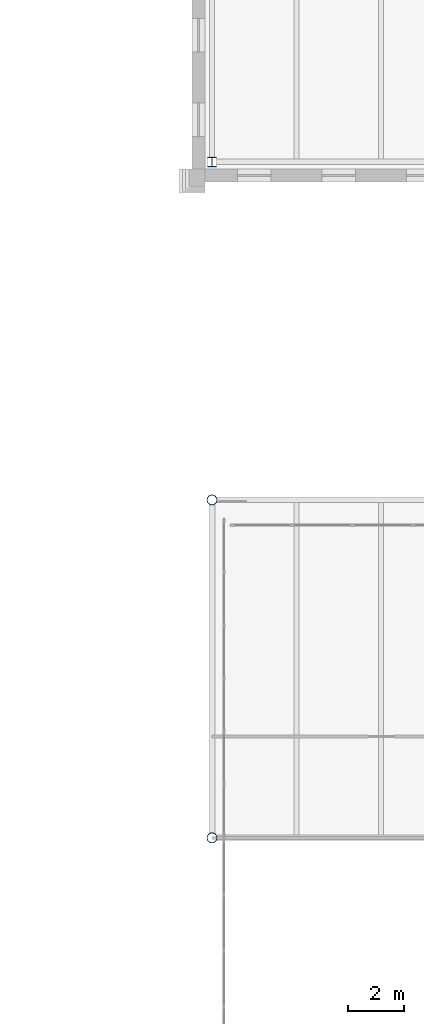
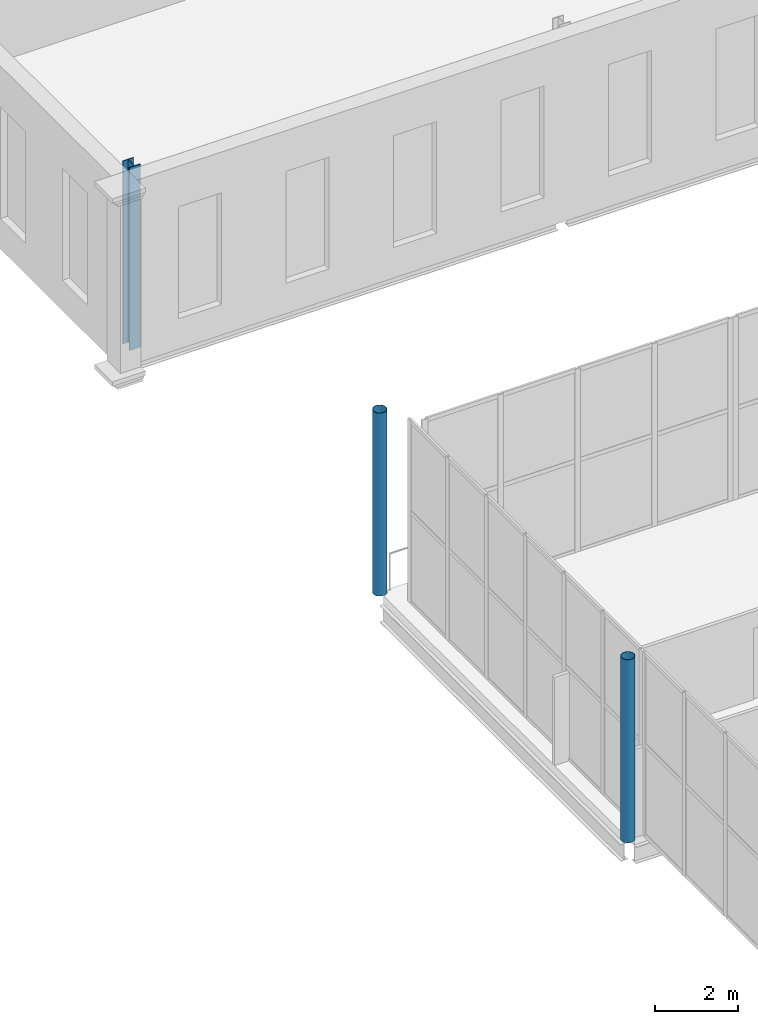
# One storey, part 27 of 170: 3 columns.
"""IFC4 building model written with IfcOpenShell, lengths in metres."""

from ifc_helpers import new_model, si_unit, direction, frame, origin, origin_2d, place, context, subcontext, project, spatial, hollow_circle, i_section, extrude, material, material_profile, profile_set, type_object, element, save


model = new_model("IFC4")

# Units and contexts
model_context = context("Model", 3, precision=1e-05, world=origin(), true_north=direction((0.0, 1.0)))
body_context = subcontext(model_context, "Body", "Model", "MODEL_VIEW")
ifc_project = project(units=[si_unit("LENGTHUNIT", "METRE"), si_unit("AREAUNIT", "SQUARE_METRE"), si_unit("VOLUMEUNIT", "CUBIC_METRE"), si_unit("PLANEANGLEUNIT", "RADIAN"), si_unit("MASSUNIT", "GRAM", prefix="KILO")], contexts=[model_context])

# Site, building, storey
site_placement = place(None, origin())
site = spatial("IfcSite", under=ifc_project, at=site_placement, CompositionType="ELEMENT")
building_placement = place(site_placement, origin())
building = spatial("IfcBuilding", under=site, at=building_placement, Name="Ravi Spectrum Wholesale Market", CompositionType="ELEMENT")
storey_placement = place(building_placement, frame((0.0, 0.0, 5.39990234375)))
storey = spatial("IfcBuildingStorey", under=building, at=storey_placement, Name="L01", CompositionType="ELEMENT", Elevation=5.39990234375)

# Columns
ifc_material_1 = material(Name="Steel S355", Category="steel")
ifc_material_profile_1 = material_profile(ifc_material_1, hollow_circle(Radius=0.177734375, WallThickness=0.012451171875, at=origin_2d()))
ifc_profile_set_1 = profile_set([ifc_material_profile_1], Name="Steel S355")
column_type_1 = type_object("IfcColumnType", Name="CHS 355.6x12.5 column", PredefinedType="COLUMN", material=ifc_profile_set_1)
for number, where, z_axis, x_axis, name in (
    (1, (162.0, 174.0, 0.0), (0.0, 0.0, 1.0), (1.0, 0.0, 0.0), "H3-COL-L01-004"),
    (2, (162.0, 186.0, 0.0), (0.0, 0.0, 1.0), (1.0, 0.0, 0.0), "H3-COL-L01-005"),
):
    element("IfcColumn", number, at=place(storey_placement, frame(where, z_axis=z_axis, x_axis=x_axis)), inside=storey, type_object=column_type_1, Name=name, PredefinedType="COLUMN", context=body_context, shape_type="SweptSolid", body=[
        extrude(hollow_circle(Radius=0.177734375, WallThickness=0.012451171875, at=origin_2d()), origin(), (0.0, 0.0, 1.0), 5.400146484375),
    ])
ifc_material_2 = material(Name="Steel S355", Category="steel")
ifc_material_profile_2 = material_profile(ifc_material_2, i_section(OverallWidth=0.300048828125, OverallDepth=0.340087890625, WebThickness=0.011962890625, FlangeThickness=0.021484375, at=origin_2d()))
ifc_profile_set_2 = profile_set([ifc_material_profile_2], Name="Steel S355")
column_type_2 = type_object("IfcColumnType", Name="HEB 340 column", PredefinedType="COLUMN", material=ifc_profile_set_2)
column_placement = place(storey_placement, frame((162.0, 198.0, 0.0), z_axis=(0.0, 0.0, 1.0), x_axis=(1.0, 0.0, 0.0)))
element("IfcColumn", 3, at=column_placement, inside=storey, type_object=column_type_2, Name="AU-COL-L01-001", PredefinedType="COLUMN", context=body_context, shape_type="SweptSolid", body=[
    extrude(i_section(OverallWidth=0.300048828125, OverallDepth=0.340087890625, WebThickness=0.011962890625, FlangeThickness=0.021484375, at=origin_2d()), origin(), (0.0, 0.0, 1.0), 5.400146484375),
])

save(model, "model.ifc")
